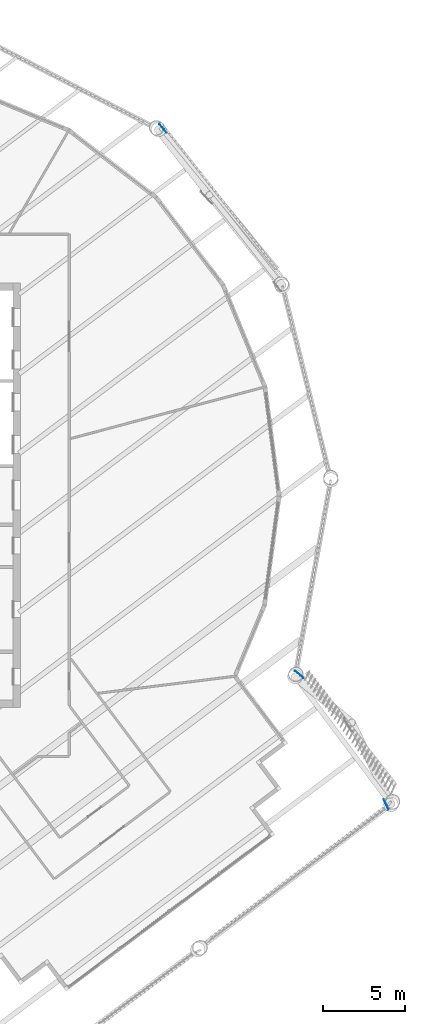
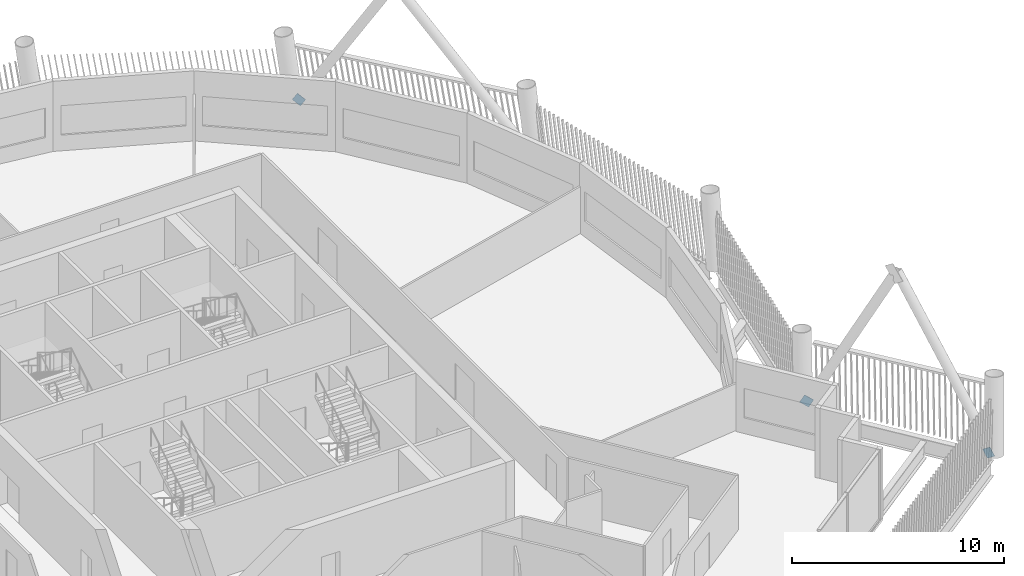
# One storey, part 27 of 35: 3 discrete accessories.
"""IFC4 building model written with IfcOpenShell, lengths in metres."""

from ifc_helpers import new_model, si_unit, direction, frame, origin, origin_2d, place, context, subcontext, project, spatial, rectangle, extrude, material, material_profile, profile_set, type_object, element, save


model = new_model("IFC4")

# Units and contexts
model_context = context("Model", 3, precision=1e-05, world=origin(), true_north=direction((0.0, 1.0)))
body_context = subcontext(model_context, "Body", "Model", "MODEL_VIEW")
ifc_project = project(units=[si_unit("LENGTHUNIT", "METRE"), si_unit("AREAUNIT", "SQUARE_METRE"), si_unit("VOLUMEUNIT", "CUBIC_METRE"), si_unit("PLANEANGLEUNIT", "RADIAN"), si_unit("MASSUNIT", "GRAM", prefix="KILO")], contexts=[model_context])

# Site, building, storey
site_placement = place(None, origin())
site = spatial("IfcSite", under=ifc_project, at=site_placement, CompositionType="ELEMENT")
building_placement = place(site_placement, origin())
building = spatial("IfcBuilding", under=site, at=building_placement, Name="Tarsis Ring Headquarters", CompositionType="ELEMENT")
storey_placement = place(building_placement, frame((0.0, 0.0, 377.60009765625)))
storey = spatial("IfcBuildingStorey", under=building, at=storey_placement, Name="L89", CompositionType="ELEMENT", Elevation=377.60009765625)

# Discrete accessories
ifc_material = material(Name="Structural steel S355", Category="steel")
ifc_material_profile = material_profile(ifc_material, rectangle(XDim=0.02490234375, YDim=0.5, at=origin_2d()), Name="PL 25x500")
ifc_profile_set = profile_set([ifc_material_profile], Name="Structural steel S355")
discrete_accessory_type = type_object("IfcDiscreteAccessoryType", Name="Gusset plate Exo brace 25", PredefinedType="BRACKET", material=ifc_profile_set)
for number, where, z_axis, x_axis, name in (
    (1, (32.4833984375, -19.070068359375, 0.0), (-0.24023523415, 0.497560373168, 0.83349907458), (-0.900527773263, -0.434798493077, 0.0), "Gusset plate GP5"),
    (2, (27.0078125, -10.9052734375, 0.0), (0.364329829045, -0.297422072236, 0.882498660971), (0.63238920712, 0.774650818574, 0.0), "Gusset plate GP5"),
    (3, (18.672119140625, 22.59130859375, 0.0), (0.320340836455, -0.407750912256, 0.855056104623), (0.786351016319, 0.617779960126, 0.0), "Gusset plate GP5"),
):
    element("IfcDiscreteAccessory", number, at=place(storey_placement, frame(where, z_axis=z_axis, x_axis=x_axis)), inside=storey, type_object=discrete_accessory_type, Name=name, PredefinedType="BRACKET", context=body_context, shape_type="SweptSolid", body=[
        extrude(rectangle(XDim=0.02490234375, YDim=0.5, at=origin_2d()), origin(), (0.0, 0.0, 1.0), 0.5),
    ])

save(model, "model.ifc")
